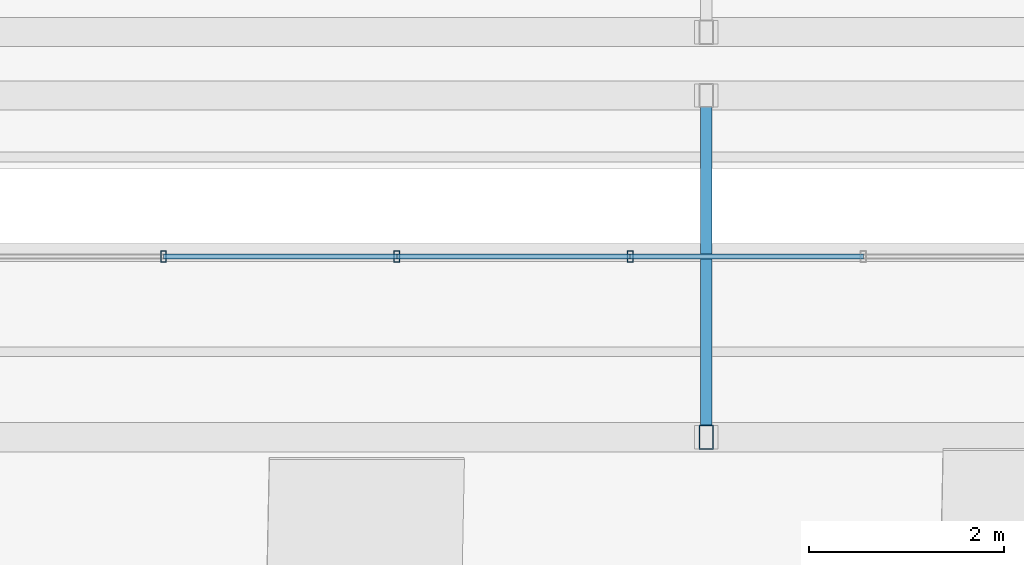
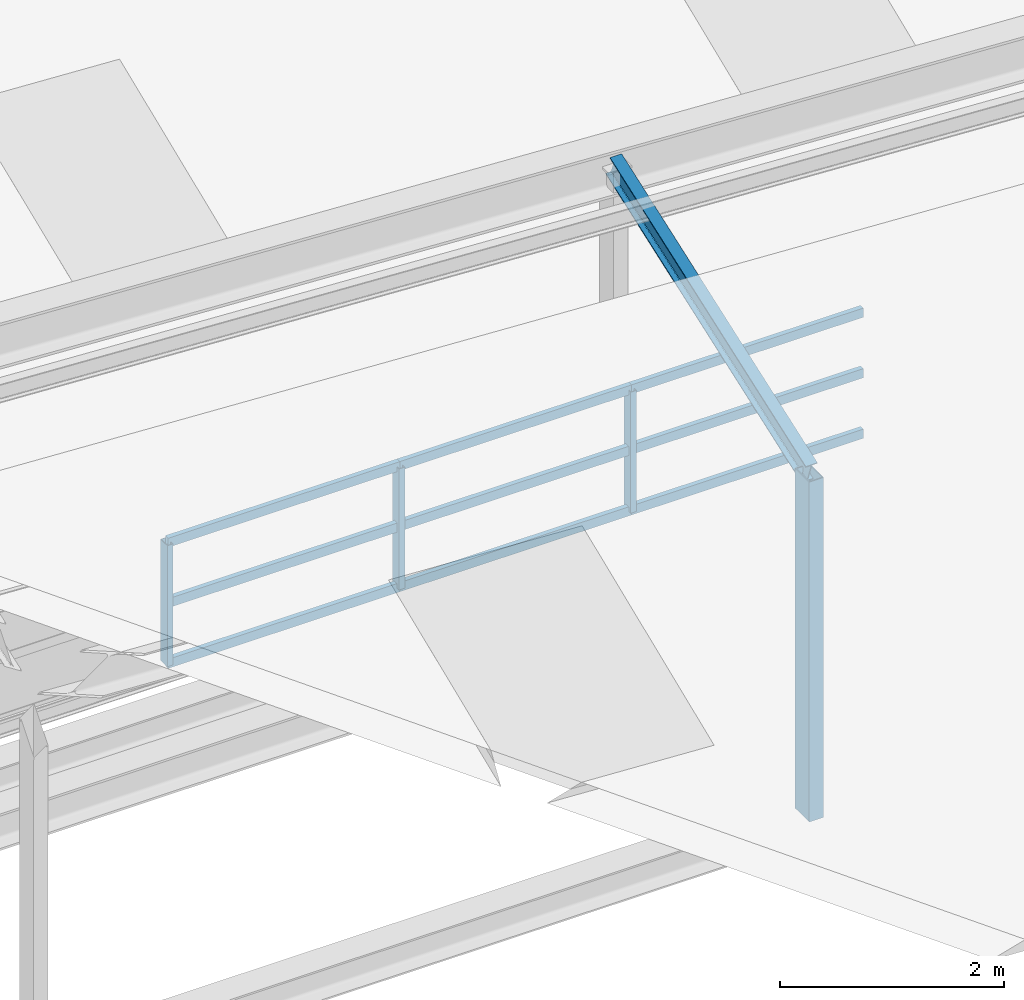
# One storey, part 48 of 141: 14 members, 1 element without a shape of its own.
"""IFC4 building model written with IfcOpenShell, lengths in metres."""

from ifc_helpers import new_model, si_unit, direction, frame, origin, origin_2d, place, context, subcontext, project, spatial, hollow_rectangle, i_section, extrude, material, material_profile, profile_set, type_object, element, aggregate, save


model = new_model("IFC4")

# Units and contexts
model_context = context("Model", 3, precision=1e-05, world=origin(), true_north=direction((0.0, 1.0)))
body_context = subcontext(model_context, "Body", "Model", "MODEL_VIEW")
ifc_project = project(units=[si_unit("LENGTHUNIT", "METRE"), si_unit("AREAUNIT", "SQUARE_METRE"), si_unit("VOLUMEUNIT", "CUBIC_METRE"), si_unit("PLANEANGLEUNIT", "RADIAN"), si_unit("MASSUNIT", "GRAM", prefix="KILO")], contexts=[model_context])

# Site, building, storey
site_placement = place(None, origin())
site = spatial("IfcSite", under=ifc_project, at=site_placement, CompositionType="ELEMENT")
building_placement = place(site_placement, origin())
building = spatial("IfcBuilding", under=site, at=building_placement, Name="Sundkrona Museum", CompositionType="ELEMENT")
storey_placement = place(building_placement, frame((0.0, 0.0, 34.0)))
storey = spatial("IfcBuildingStorey", under=building, at=storey_placement, Name="RF", CompositionType="ELEMENT", Elevation=34.0)

# Curtain wall, members
ifc_material_1 = material(Name="Unitised Aluminium-Steel and Ceramic-Clad Curtain Walling", Category="steel")
curtain_wall_type = type_object("IfcCurtainWallType", Name="CW-SW-240x13", PredefinedType="NOTDEFINED", material=ifc_material_1)
curtain_wall_placement = place(storey_placement, origin())
curtain_wall = element("IfcCurtainWall", 1, at=curtain_wall_placement, inside=storey, type_object=curtain_wall_type, Name="Sawtooth Bay 1 East North-Light Clerestory", PredefinedType="NOTDEFINED")
ifc_material_2 = material(Name="Aluminium EN AW-6060 T66", Category="aluminium")
ifc_material_profile_1 = material_profile(ifc_material_2, hollow_rectangle(XDim=0.06005859375, YDim=0.1201171875, WallThickness=0.0048828125, at=origin_2d()), Name="RHS 120x60x5.0")
ifc_profile_set_1 = profile_set([ifc_material_profile_1], Name="Aluminium EN AW-6060 T66")
member_type_1 = type_object("IfcMemberType", Name="ML-120", PredefinedType="MULLION", material=ifc_profile_set_1)
member_1_placement = place(storey_placement, frame((146.43994140625, 2.199951171875, 2.212890625), z_axis=(0.0, 0.0, 1.0), x_axis=(1.0, 0.0, 0.0)))
member_1 = element("IfcMember", 2, at=member_1_placement, type_object=member_type_1, Name="CW-RF-SAW-01E Mullion 02", PredefinedType="MULLION", context=body_context, shape_type="SweptSolid", body=[
    extrude(hollow_rectangle(XDim=0.06005859375, YDim=0.1201171875, WallThickness=0.0048828125, at=origin_2d()), origin(), (0.0, 0.0, 1.0), 1.320068359375),
])
member_2_placement = place(storey_placement, frame((148.830078125, 2.199951171875, 2.212890625), z_axis=(0.0, 0.0, 1.0), x_axis=(1.0, 0.0, 0.0)))
member_2 = element("IfcMember", 3, at=member_2_placement, type_object=member_type_1, Name="CW-RF-SAW-01E Mullion 03", PredefinedType="MULLION", context=body_context, shape_type="SweptSolid", body=[
    extrude(hollow_rectangle(XDim=0.06005859375, YDim=0.1201171875, WallThickness=0.0048828125, at=origin_2d()), origin(), (0.0, 0.0, 1.0), 1.320068359375),
])
member_3_placement = place(storey_placement, frame((151.219970703125, 2.199951171875, 2.212890625), z_axis=(0.0, 0.0, 1.0), x_axis=(1.0, 0.0, 0.0)))
member_3 = element("IfcMember", 4, at=member_3_placement, type_object=member_type_1, Name="CW-RF-SAW-01E Mullion 04", PredefinedType="MULLION", context=body_context, shape_type="SweptSolid", body=[
    extrude(hollow_rectangle(XDim=0.06005859375, YDim=0.1201171875, WallThickness=0.0048828125, at=origin_2d()), origin(), (0.0, 0.0, 1.0), 1.320068359375),
])

# Members
ifc_material_3 = material(Name="Steel S355J2", Category="steel")
ifc_material_profile_2 = material_profile(ifc_material_3, i_section(OverallWidth=0.1201171875, OverallDepth=0.239990234375, WebThickness=0.006103515625, FlangeThickness=0.009765625, FilletRadius=0.014892578125, at=origin_2d()), Name="IPE 240")
ifc_profile_set_2 = profile_set([ifc_material_profile_2], Name="Steel S355J2")
member_type_2 = type_object("IfcMemberType", Name="PR-IPE240", PredefinedType="PURLIN", material=ifc_profile_set_2)
member_4_placement = place(storey_placement, frame((152.0, 0.35009765625, 3.456298828125), z_axis=(0.0, 0.94188749485, 0.335928485015), x_axis=(-1.0, 0.0, 0.0)))
element("IfcMember", 5, at=member_4_placement, inside=storey, type_object=member_type_2, Name="RFS-1 Sawtooth Bay 1 Transverse Rafter 5", PredefinedType="PURLIN", context=body_context, shape_type="SweptSolid", body=[
    extrude(i_section(OverallWidth=0.1201171875, OverallDepth=0.239990234375, WebThickness=0.006103515625, FlangeThickness=0.009765625, FilletRadius=0.014892578125, at=origin_2d()), origin(), (0.0, 0.0, 1.0), 3.716064453125),
])
ifc_material_profile_3 = material_profile(ifc_material_3, hollow_rectangle(XDim=0.14990234375, YDim=0.25, WallThickness=0.010009765625, at=origin_2d()), Name="RHS 250x150x10.0")
ifc_profile_set_3 = profile_set([ifc_material_profile_3], Name="Steel S355J2")
member_type_3 = type_object("IfcMemberType", Name="ST-RHS250", PredefinedType="STRUT", material=ifc_profile_set_3)
member_5_placement = place(storey_placement, frame((152.0, 0.35009765625, -0.25), z_axis=(0.0, 0.0, 1.0), x_axis=(1.0, 0.0, 0.0)))
element("IfcMember", 6, at=member_5_placement, inside=storey, type_object=member_type_3, Name="RFS-1 Sawtooth Bay 1 Valley Post 5", PredefinedType="STRUT", context=body_context, shape_type="SweptSolid", body=[
    extrude(hollow_rectangle(XDim=0.14990234375, YDim=0.25, WallThickness=0.010009765625, at=origin_2d()), origin(), (0.0, 0.0, 1.0), 3.706298828125),
])

# Member
ifc_material_profile_4 = material_profile(ifc_material_2, hollow_rectangle(XDim=0.050048828125, YDim=0.10009765625, WallThickness=0.0048828125, at=origin_2d()), Name="RHS 100x50x5.0")
ifc_profile_set_4 = profile_set([ifc_material_profile_4], Name="Aluminium EN AW-6060 T66")
member_type_4 = type_object("IfcMemberType", Name="TR-100", PredefinedType="USERDEFINED", material=ifc_profile_set_4)
member_6_placement = place(storey_placement, frame((146.43994140625, 2.199951171875, 2.212890625), z_axis=(1.0, 0.0, 0.0), x_axis=(0.0, 1.0, 0.0)))
member_6 = element("IfcMember", 7, at=member_6_placement, type_object=member_type_4, Name="CW-RF-SAW-01E Transom 04", ObjectType="TRANSOM", PredefinedType="USERDEFINED", context=body_context, shape_type="SweptSolid", body=[
    extrude(hollow_rectangle(XDim=0.050048828125, YDim=0.10009765625, WallThickness=0.0048828125, at=origin_2d()), origin(), (0.0, 0.0, 1.0), 2.39013671875),
])

member_7_placement = place(storey_placement, frame((146.43994140625, 2.199951171875, 2.873046875), z_axis=(1.0, 0.0, 0.0), x_axis=(0.0, 1.0, 0.0)))
member_7 = element("IfcMember", 8, at=member_7_placement, type_object=member_type_4, Name="CW-RF-SAW-01E Transom 05", ObjectType="TRANSOM", PredefinedType="USERDEFINED", context=body_context, shape_type="SweptSolid", body=[
    extrude(hollow_rectangle(XDim=0.050048828125, YDim=0.10009765625, WallThickness=0.0048828125, at=origin_2d()), origin(), (0.0, 0.0, 1.0), 2.39013671875),
])

member_8_placement = place(storey_placement, frame((146.43994140625, 2.199951171875, 3.532958984375), z_axis=(1.0, 0.0, 0.0), x_axis=(0.0, 1.0, 0.0)))
member_8 = element("IfcMember", 9, at=member_8_placement, type_object=member_type_4, Name="CW-RF-SAW-01E Transom 06", ObjectType="TRANSOM", PredefinedType="USERDEFINED", context=body_context, shape_type="SweptSolid", body=[
    extrude(hollow_rectangle(XDim=0.050048828125, YDim=0.10009765625, WallThickness=0.0048828125, at=origin_2d()), origin(), (0.0, 0.0, 1.0), 2.39013671875),
])

member_9_placement = place(storey_placement, frame((148.830078125, 2.199951171875, 2.212890625), z_axis=(1.0, 0.0, 0.0), x_axis=(0.0, 1.0, 0.0)))
member_9 = element("IfcMember", 10, at=member_9_placement, type_object=member_type_4, Name="CW-RF-SAW-01E Transom 07", ObjectType="TRANSOM", PredefinedType="USERDEFINED", context=body_context, shape_type="SweptSolid", body=[
    extrude(hollow_rectangle(XDim=0.050048828125, YDim=0.10009765625, WallThickness=0.0048828125, at=origin_2d()), origin(), (0.0, 0.0, 1.0), 2.389892578125),
])

member_10_placement = place(storey_placement, frame((148.830078125, 2.199951171875, 2.873046875), z_axis=(1.0, 0.0, 0.0), x_axis=(0.0, 1.0, 0.0)))
member_10 = element("IfcMember", 11, at=member_10_placement, type_object=member_type_4, Name="CW-RF-SAW-01E Transom 08", ObjectType="TRANSOM", PredefinedType="USERDEFINED", context=body_context, shape_type="SweptSolid", body=[
    extrude(hollow_rectangle(XDim=0.050048828125, YDim=0.10009765625, WallThickness=0.0048828125, at=origin_2d()), origin(), (0.0, 0.0, 1.0), 2.389892578125),
])

member_11_placement = place(storey_placement, frame((148.830078125, 2.199951171875, 3.532958984375), z_axis=(1.0, 0.0, 0.0), x_axis=(0.0, 1.0, 0.0)))
member_11 = element("IfcMember", 12, at=member_11_placement, type_object=member_type_4, Name="CW-RF-SAW-01E Transom 09", ObjectType="TRANSOM", PredefinedType="USERDEFINED", context=body_context, shape_type="SweptSolid", body=[
    extrude(hollow_rectangle(XDim=0.050048828125, YDim=0.10009765625, WallThickness=0.0048828125, at=origin_2d()), origin(), (0.0, 0.0, 1.0), 2.389892578125),
])

member_12_placement = place(storey_placement, frame((151.219970703125, 2.199951171875, 2.212890625), z_axis=(1.0, 0.0, 0.0), x_axis=(0.0, 1.0, 0.0)))
member_12 = element("IfcMember", 13, at=member_12_placement, type_object=member_type_4, Name="CW-RF-SAW-01E Transom 10", ObjectType="TRANSOM", PredefinedType="USERDEFINED", context=body_context, shape_type="SweptSolid", body=[
    extrude(hollow_rectangle(XDim=0.050048828125, YDim=0.10009765625, WallThickness=0.0048828125, at=origin_2d()), origin(), (0.0, 0.0, 1.0), 2.39013671875),
])

member_13_placement = place(storey_placement, frame((151.219970703125, 2.199951171875, 2.873046875), z_axis=(1.0, 0.0, 0.0), x_axis=(0.0, 1.0, 0.0)))
member_13 = element("IfcMember", 14, at=member_13_placement, type_object=member_type_4, Name="CW-RF-SAW-01E Transom 11", ObjectType="TRANSOM", PredefinedType="USERDEFINED", context=body_context, shape_type="SweptSolid", body=[
    extrude(hollow_rectangle(XDim=0.050048828125, YDim=0.10009765625, WallThickness=0.0048828125, at=origin_2d()), origin(), (0.0, 0.0, 1.0), 2.39013671875),
])

member_14_placement = place(storey_placement, frame((151.219970703125, 2.199951171875, 3.532958984375), z_axis=(1.0, 0.0, 0.0), x_axis=(0.0, 1.0, 0.0)))
member_14 = element("IfcMember", 15, at=member_14_placement, type_object=member_type_4, Name="CW-RF-SAW-01E Transom 12", ObjectType="TRANSOM", PredefinedType="USERDEFINED", context=body_context, shape_type="SweptSolid", body=[
    extrude(hollow_rectangle(XDim=0.050048828125, YDim=0.10009765625, WallThickness=0.0048828125, at=origin_2d()), origin(), (0.0, 0.0, 1.0), 2.39013671875),
])

aggregate(curtain_wall, [member_1, member_2, member_3, member_6, member_7, member_8, member_9, member_10, member_11, member_12, member_13, member_14])

save(model, "model.ifc")
